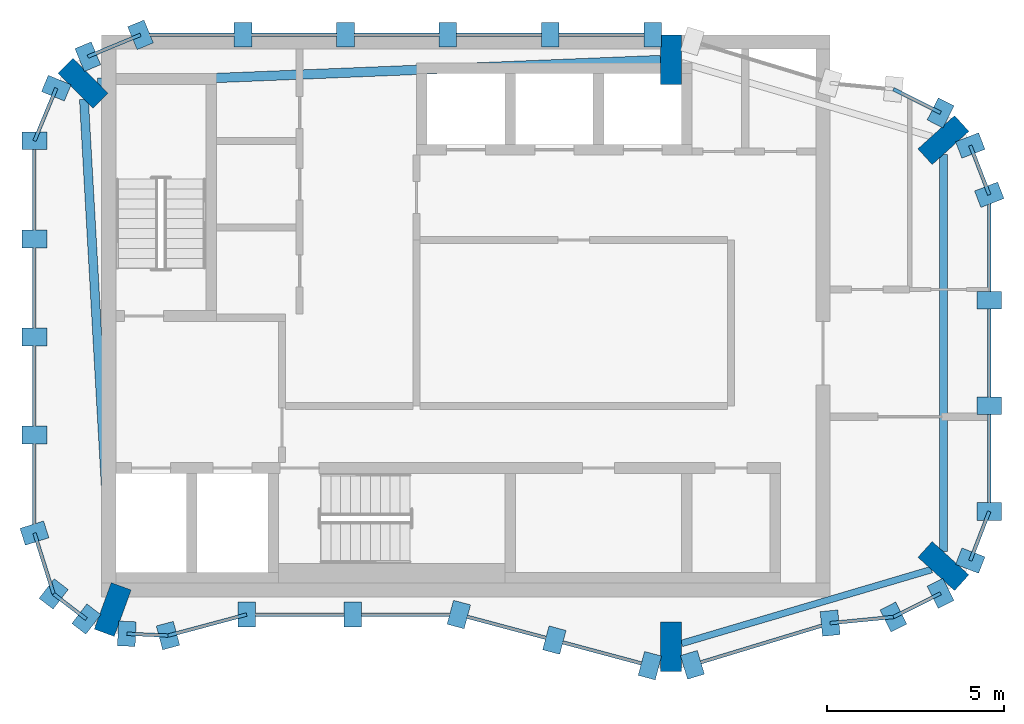
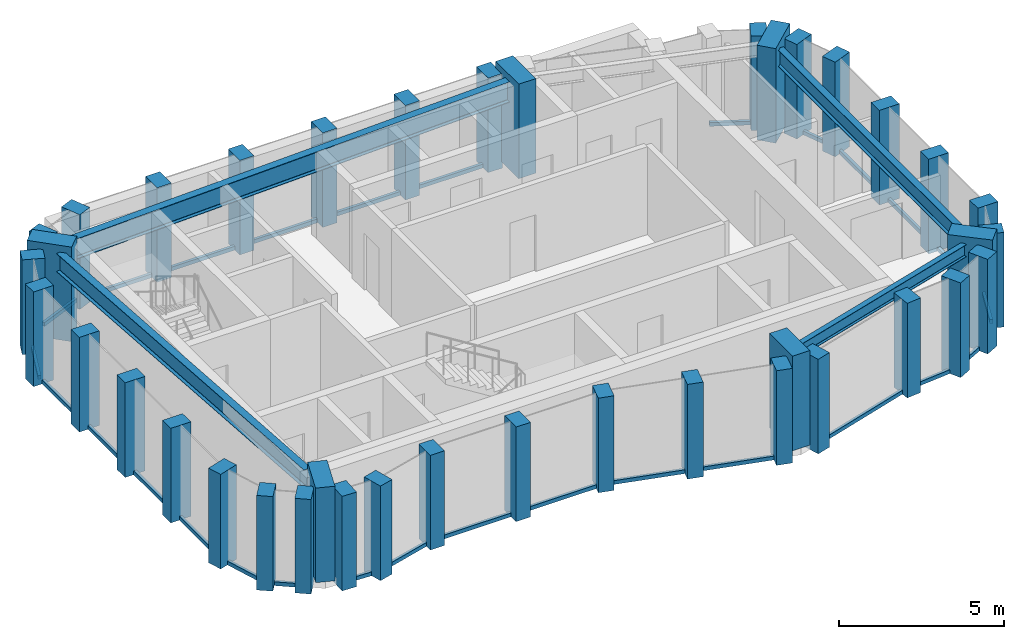
# One storey, part 1 of 5: 50 members, 6 columns, 4 beams, 17 elements without a shape of their own.
"""IFC4 building model written with IfcOpenShell, lengths in metres."""

import ifcopenshell
import ifcopenshell.guid

model = None  # the IFC model being written
_history = None  # IfcOwnerHistory: only IFC2X3 demands one
_inside = {}  # id of a spatial element -> (the spatial element, [elements in it])
_under = {}  # id of a project, library or spatial element -> (it, [spatial elements below it])
_declared = {}  # id of a project -> (the project, [libraries it declares])
_typed = {}  # id of a type object -> (the type object, [elements of that type])
_made_of = {}  # id of a material, layer set ... -> (it, [elements and type objects made of it])


def new_model(schema):
    """Start an empty IFC model of exactly this schema.

    Asked for "IFC4X3", IfcOpenShell would pick the latest addendum, in which some entities
    have other attributes; the version numbers below select the first issue.
    IFC2X3 requires an IfcOwnerHistory on every rooted entity: one is made here for all.
    """
    global model, _history
    if schema == "IFC4X3":
        model = ifcopenshell.file(schema_version=(4, 3, 0, 0))
    else:
        model = ifcopenshell.file(schema=schema)
    _inside.clear()
    _under.clear()
    _declared.clear()
    _typed.clear()
    _made_of.clear()
    _history = None
    if model.schema == "IFC2X3":
        org = make("IfcOrganization", Name="unknown")
        user = make(
            "IfcPersonAndOrganization",
            ThePerson=make("IfcPerson", FamilyName="unknown"),
            TheOrganization=org,
        )
        app = make(
            "IfcApplication",
            ApplicationDeveloper=org,
            Version="unknown",
            ApplicationFullName="unknown",
            ApplicationIdentifier="unknown",
        )
        _history = make(
            "IfcOwnerHistory",
            OwningUser=user,
            OwningApplication=app,
            ChangeAction="ADDED",
            CreationDate=0,
        )
    return model


def make(cls, **values):
    """One entity of the class cls with the attributes given. An attribute that is None is left unset."""
    return model.create_entity(
        cls, **{name: value for name, value in values.items() if value is not None}
    )


def rooted(cls, **values):
    """An entity with a GlobalId (a new one), such as an element, a storey or a relation."""
    return make(cls, GlobalId=ifcopenshell.guid.new(), OwnerHistory=_history, **values)


def si_unit(unit_type, name, prefix=None):
    """IfcSIUnit, for example si_unit("LENGTHUNIT", "METRE", prefix="MILLI")."""
    return make("IfcSIUnit", UnitType=unit_type, Prefix=prefix, Name=name)


def assignment(units):
    """IfcUnitAssignment: the units of a project."""
    return None if units is None else make("IfcUnitAssignment", Units=units)


def point(xyz):
    """IfcCartesianPoint."""
    return None if xyz is None else make("IfcCartesianPoint", Coordinates=xyz)


def direction(xyz):
    """IfcDirection."""
    return None if xyz is None else make("IfcDirection", DirectionRatios=xyz)


def frame(location, z_axis=None, x_axis=None):
    """IfcAxis2Placement3D, a coordinate frame: its origin and axes. An axis left out is left unset."""
    return make(
        "IfcAxis2Placement3D",
        Location=point(location),
        Axis=direction(z_axis),
        RefDirection=direction(x_axis),
    )


def frame_2d(location, x_axis=None):
    """IfcAxis2Placement2D, a coordinate frame in the plane: its origin and x axis."""
    return make(
        "IfcAxis2Placement2D", Location=point(location), RefDirection=direction(x_axis)
    )


def origin():
    """The frame at (0, 0, 0) with its axes left unset."""
    return frame((0.0, 0.0, 0.0))


def origin_2d():
    """The frame at (0, 0) in the plane with its x axis left unset."""
    return frame_2d((0.0, 0.0))


def place(relative_to, where):
    """IfcLocalPlacement: puts the frame where relative to a parent placement (None: the world)."""
    return make(
        "IfcLocalPlacement", PlacementRelTo=relative_to, RelativePlacement=where
    )


def context(
    kind, dimensions, precision=None, world=None, true_north=None, identifier=None
):
    """IfcGeometricRepresentationContext, for example the 3D "Model" context."""
    return make(
        "IfcGeometricRepresentationContext",
        ContextIdentifier=identifier,
        ContextType=kind,
        CoordinateSpaceDimension=dimensions,
        Precision=precision,
        WorldCoordinateSystem=world,
        TrueNorth=true_north,
    )


def subcontext(parent, identifier, kind, view, scale=None):
    """IfcGeometricRepresentationSubContext, for example "Body" below "Model"."""
    return make(
        "IfcGeometricRepresentationSubContext",
        ContextIdentifier=identifier,
        ContextType=kind,
        ParentContext=parent,
        TargetScale=scale,
        TargetView=view,
    )


def project(units=None, contexts=None):
    """IfcProject with its units and contexts."""
    return rooted(
        "IfcProject",
        Name="project",
        RepresentationContexts=contexts,
        UnitsInContext=assignment(units),
    )


def spatial(cls, under=None, at=None, **own):
    """A site, building, storey or space (cls), placed at a placement, below another one or the project."""
    s = rooted(cls, ObjectPlacement=at, **own)
    if under is not None:
        _under.setdefault(under.id(), (under, []))[1].append(s)
    return s


def profile(cls, at=None, kind="AREA", **sizes):
    """A parametric profile (cls). Its sizes go by their IFC names, for example OverallWidth=200.0."""
    return make(cls, ProfileType=kind, Position=at, **sizes)


def rectangle(**sizes):
    """IfcRectangleProfileDef."""
    return profile("IfcRectangleProfileDef", **sizes)


def i_section(**sizes):
    """IfcIShapeProfileDef."""
    return profile("IfcIShapeProfileDef", **sizes)


def extrude(swept, where, along, depth):
    """IfcExtrudedAreaSolid: the profile swept, set in the frame where, extruded along a direction by depth."""
    return make(
        "IfcExtrudedAreaSolid",
        SweptArea=swept,
        Position=where,
        ExtrudedDirection=direction(along),
        Depth=depth,
    )


def shape(context_of_items, identifier, shape_type, items):
    """IfcShapeRepresentation: the items that make up one representation, for example the "Body"."""
    return make(
        "IfcShapeRepresentation",
        ContextOfItems=context_of_items,
        RepresentationIdentifier=identifier,
        RepresentationType=shape_type,
        Items=items,
    )


def material(Name=None, Category=None):
    """IfcMaterial."""
    return make("IfcMaterial", Name=Name, Category=Category)


def layer(
    of_material, thickness, ventilated=None, Name=None, Category=None, Priority=None
):
    """IfcMaterialLayer: one layer of a wall or slab, of a material (None: an air gap)."""
    return make(
        "IfcMaterialLayer",
        Material=of_material,
        LayerThickness=thickness,
        IsVentilated=ventilated,
        Name=Name,
        Category=Category,
        Priority=Priority,
    )


def layer_set(layers, Name=None):
    """IfcMaterialLayerSet."""
    return make("IfcMaterialLayerSet", MaterialLayers=layers, LayerSetName=Name)


def material_profile(
    of_material, cross_section, Name=None, Category=None, Priority=None
):
    """IfcMaterialProfile: a cross section and its material."""
    return make(
        "IfcMaterialProfile",
        Name=Name,
        Material=of_material,
        Profile=cross_section,
        Priority=Priority,
        Category=Category,
    )


def profile_set(profiles, Name=None, composite=None):
    """IfcMaterialProfileSet."""
    return make(
        "IfcMaterialProfileSet",
        Name=Name,
        MaterialProfiles=profiles,
        CompositeProfile=composite,
    )


def made_of(thing, what):
    """Note that an element or type object is made of a material, layer set ...; save() writes the relation."""
    if what is not None:
        _made_of.setdefault(what.id(), (what, []))[1].append(thing)
    return thing


def type_object(cls, material=None, **own):
    """A type object (cls), such as IfcWallType, which elements share."""
    return made_of(rooted(cls, **own), material)


def element(
    cls,
    number,
    at=None,
    inside=None,
    cuts=None,
    type_object=None,
    material=None,
    context=None,
    identifier="Body",
    shape_type=None,
    held_by="IfcProductDefinitionShape",
    body=None,
    shapes=None,
    **own,
):
    """One element of the class cls, such as IfcWall. Its Tag is "e" and its number.

    at: its placement. inside: the storey or other place that contains it. cuts: it is an
    opening in that element (IfcRelVoidsElement). A single representation is given by context,
    identifier, shape_type and body (its items); several are given by shapes. held_by: the class
    of the entity that holds the representations. save() writes the other relations.
    """
    e = rooted(cls, Tag="e%d" % number, ObjectPlacement=at, **own)
    if body is not None:
        shapes = [shape(context, identifier, shape_type, body)]
    if shapes is not None:
        e.Representation = make(held_by, Representations=shapes)
    if inside is not None:
        _inside.setdefault(inside.id(), (inside, []))[1].append(e)
    if cuts is not None:
        rooted(
            "IfcRelVoidsElement", RelatingBuildingElement=cuts, RelatedOpeningElement=e
        )
    if type_object is not None:
        _typed.setdefault(type_object.id(), (type_object, []))[1].append(e)
    return made_of(e, material)


def aggregate(whole, parts):
    """IfcRelAggregates: a whole, such as a stair, and the parts it consists of."""
    return rooted("IfcRelAggregates", RelatingObject=whole, RelatedObjects=parts)


def save(model, path):
    """Write the relations noted so far, then the file.

    IfcRelAggregates (storeys below a building ...), IfcRelContainedInSpatialStructure (elements
    in a storey), IfcRelDefinesByType, IfcRelAssociatesMaterial and IfcRelDeclares: one each for
    every whole, place, type object, material and project.
    """
    for whole, parts in _under.values():
        aggregate(whole, parts)
    for where, things in _inside.values():
        rooted(
            "IfcRelContainedInSpatialStructure",
            RelatedElements=things,
            RelatingStructure=where,
        )
    for kind, things in _typed.values():
        rooted("IfcRelDefinesByType", RelatedObjects=things, RelatingType=kind)
    for what, things in _made_of.values():
        rooted("IfcRelAssociatesMaterial", RelatedObjects=things, RelatingMaterial=what)
    for by, libraries in _declared.values():
        rooted("IfcRelDeclares", RelatingContext=by, RelatedDefinitions=libraries)
    model.write(path)


model = new_model("IFC4")

# Units and contexts
model_context = context("Model", 3, precision=1e-05, world=origin(), true_north=direction((0.0, 1.0)))
body_context = subcontext(model_context, "Body", "Model", "MODEL_VIEW")
ifc_project = project(units=[si_unit("LENGTHUNIT", "METRE"), si_unit("AREAUNIT", "SQUARE_METRE"), si_unit("VOLUMEUNIT", "CUBIC_METRE"), si_unit("PLANEANGLEUNIT", "RADIAN"), si_unit("MASSUNIT", "GRAM", prefix="KILO")], contexts=[model_context])

# Site, building, storey
site_placement = place(None, origin())
site = spatial("IfcSite", under=ifc_project, at=site_placement, CompositionType="ELEMENT")
building_placement = place(site_placement, origin())
building = spatial("IfcBuilding", under=site, at=building_placement, Name="Plateau Cross Towers", CompositionType="ELEMENT")
storey_placement = place(building_placement, frame((0.0, 0.0, 305.39990234375)))
storey = spatial("IfcBuildingStorey", under=building, at=storey_placement, Name="L81 Crown 3", CompositionType="ELEMENT", Elevation=305.39990234375)

# Columns
ifc_material_1 = material(Name="Concrete C60/75", Category="concrete")
ifc_material_profile_1 = material_profile(ifc_material_1, rectangle(XDim=0.60009765625, YDim=1.39990234375, at=origin_2d()), Name="RC 600x1400")
ifc_profile_set_1 = profile_set([ifc_material_profile_1], Name="Concrete C60/75")
column_type = type_object("IfcColumnType", Name="Fin pier column RC 600x1400", PredefinedType="COLUMN", material=ifc_profile_set_1)
for number, where, z_axis, x_axis, name in (
    (1, (18.0, 0.699951171875, 0.0), (0.0, 0.0, 1.0), (1.0, 0.0, 0.0), "PR1 L81 Crown 3"),
    (2, (25.703125, 2.97705078125, 0.0), (0.0, 0.0, 1.0), (0.672084253376, 0.740474683135, 0.0), "PR19 L81 Crown 3"),
    (3, (25.703125, 15.02294921875, 0.0), (0.0, 0.0, 1.0), (-0.672084253376, 0.740474683135, 0.0), "PR20 L81 Crown 3"),
    (4, (18.0, 17.300048828125, 0.0), (0.0, 0.0, 1.0), (1.0, 0.0, 0.0), "PR13 L81 Crown 3"),
    (5, (1.37353515625, 16.62646484375, 0.0), (0.0, 0.0, 1.0), (0.707106781187, 0.707106781187, 0.0), "PR14 L81 Crown 3"),
    (6, (2.213134765625, 1.748046875, 0.0), (0.0, 0.0, 1.0), (-0.939664280925, 0.342097996418, 0.0), "PR12 L81 Crown 3"),
):
    element("IfcColumn", number, at=place(storey_placement, frame(where, z_axis=z_axis, x_axis=x_axis)), inside=storey, type_object=column_type, Name=name, PredefinedType="COLUMN", context=body_context, shape_type="SweptSolid", body=[
        extrude(rectangle(XDim=0.60009765625, YDim=1.39990234375, at=origin_2d()), origin(), (0.0, 0.0, 1.0), 3.5),
    ])

# Beams
ifc_material_2 = material(Name="Steel S355", Category="steel")
ifc_material_profile_2 = material_profile(ifc_material_2, i_section(OverallWidth=0.18994140625, OverallDepth=0.453369140625, WebThickness=0.008544921875, FlangeThickness=0.0126953125, FilletRadius=0.01025390625, at=origin_2d()), Name="UB 457x191x67")
ifc_profile_set_2 = profile_set([ifc_material_profile_2], Name="Steel S355")
beam_type_1 = type_object("IfcBeamType", Name="Crown ring beam UB 457x191x67", PredefinedType="BEAM", material=ifc_profile_set_2)
beam_1_placement = place(storey_placement, frame((18.300048828125, 0.78857421875, 3.0234375), z_axis=(0.958969404993, 0.283509577064, 0.0), x_axis=(-0.283509577064, 0.958969404993, 0.0)))
element("IfcBeam", 7, at=beam_1_placement, inside=storey, type_object=beam_type_1, Name="CRB-L81 Crown 3-01", PredefinedType="BEAM", context=body_context, shape_type="SweptSolid", body=[
    extrude(i_section(OverallWidth=0.18994140625, OverallDepth=0.453369140625, WebThickness=0.008544921875, FlangeThickness=0.0126953125, FilletRadius=0.01025390625, at=origin_2d()), origin(), (0.0, 0.0, 1.0), 7.36865234375),
])
ifc_material_profile_3 = material_profile(ifc_material_2, i_section(OverallWidth=0.228271484375, OverallDepth=0.607666015625, WebThickness=0.010986328125, FlangeThickness=0.017333984375, FilletRadius=0.0126953125, at=origin_2d()), Name="UB 610x229x113")
ifc_profile_set_3 = profile_set([ifc_material_profile_3], Name="Steel S355")
beam_type_2 = type_object("IfcBeamType", Name="Crown ring beam UB 610x229x113", PredefinedType="BEAM", material=ifc_profile_set_3)
beam_2_placement = place(storey_placement, frame((25.703125, 3.38232421875, 2.9462890625), z_axis=(0.0, 1.0, 0.0), x_axis=(-1.0, 0.0, 0.0)))
element("IfcBeam", 8, at=beam_2_placement, inside=storey, type_object=beam_type_2, Name="CRB-L81 Crown 3-02", PredefinedType="BEAM", context=body_context, shape_type="SweptSolid", body=[
    extrude(i_section(OverallWidth=0.228271484375, OverallDepth=0.607666015625, WebThickness=0.010986328125, FlangeThickness=0.017333984375, FilletRadius=0.0126953125, at=origin_2d()), origin(), (0.0, 0.0, 1.0), 11.2353515625),
])
ifc_material_profile_4 = material_profile(ifc_material_2, i_section(OverallWidth=0.2529296875, OverallDepth=0.677978515625, WebThickness=0.01171875, FlangeThickness=0.01611328125, FilletRadius=0.01513671875, at=origin_2d()), Name="UB 686x254x125")
ifc_profile_set_4 = profile_set([ifc_material_profile_4], Name="Steel S355")
beam_type_3 = type_object("IfcBeamType", Name="Crown ring beam UB 686x254x125", PredefinedType="BEAM", material=ifc_profile_set_4)
beam_3_placement = place(storey_placement, frame((1.39892578125, 16.1767578125, 2.9111328125), z_axis=(0.056348976318, -0.998411134187, 0.0), x_axis=(0.998411134187, 0.056348976318, 0.0)))
element("IfcBeam", 9, at=beam_3_placement, inside=storey, type_object=beam_type_3, Name="CRB-L81 Crown 3-05", PredefinedType="BEAM", context=body_context, shape_type="SweptSolid", body=[
    extrude(i_section(OverallWidth=0.2529296875, OverallDepth=0.677978515625, WebThickness=0.01171875, FlangeThickness=0.01611328125, FilletRadius=0.01513671875, at=origin_2d()), origin(), (0.0, 0.0, 1.0), 13.691162109375),
])
ifc_material_profile_5 = material_profile(ifc_material_2, i_section(OverallWidth=0.26513671875, OverallDepth=0.75390625, WebThickness=0.0126953125, FlangeThickness=0.017578125, FilletRadius=0.0166015625, at=origin_2d()), Name="UB 762x267x147")
ifc_profile_set_5 = profile_set([ifc_material_profile_5], Name="Steel S355")
beam_type_4 = type_object("IfcBeamType", Name="Crown ring beam UB 762x267x147", PredefinedType="BEAM", material=ifc_profile_set_5)
beam_4_placement = place(storey_placement, frame((17.699951171875, 17.287841796875, 2.873046875), z_axis=(-0.999180065047, -0.040487005488, 0.0), x_axis=(0.040487005488, -0.999180065047, 0.0)))
element("IfcBeam", 10, at=beam_4_placement, inside=storey, type_object=beam_type_4, Name="CRB-L81 Crown 3-04", PredefinedType="BEAM", context=body_context, shape_type="SweptSolid", body=[
    extrude(i_section(OverallWidth=0.26513671875, OverallDepth=0.75390625, WebThickness=0.0126953125, FlangeThickness=0.017578125, FilletRadius=0.0166015625, at=origin_2d()), origin(), (0.0, 0.0, 1.0), 15.931640625),
])

# Curtain wall, member
ifc_material_3 = material(Name="Dark low-iron glass", Category="glass")
ifc_layer = layer(ifc_material_3, 0.800048828125)
ifc_layer_set = layer_set([ifc_layer], Name="Dark low-iron glass")
curtain_wall_type = type_object("IfcCurtainWallType", Name="Curtain wall sky lounge CW-D", PredefinedType="NOTDEFINED", material=ifc_layer_set)
curtain_wall_1_placement = place(storey_placement, origin())
curtain_wall_1 = element("IfcCurtainWall", 11, at=curtain_wall_1_placement, inside=storey, type_object=curtain_wall_type, Name="ENV/A/L81 Crown 3/A38_10", PredefinedType="NOTDEFINED")
ifc_material_4 = material(Name="Black anodised aluminium", Category="aluminium")
ifc_material_profile_6 = material_profile(ifc_material_4, rectangle(XDim=0.5, YDim=0.699951171875, at=origin_2d()), Name="MULLION 500x700")
ifc_profile_set_6 = profile_set([ifc_material_profile_6], Name="Black anodised aluminium")
member_type_1 = type_object("IfcMemberType", Name="Mullion 500x700 sky lounge", PredefinedType="MULLION", material=ifc_profile_set_6)
member_1_placement = place(storey_placement, frame((3.776123046875, 1.01123046875, -0.25), z_axis=(0.0, 0.0, 1.0), x_axis=(0.965957962328, 0.258699081978, 0.0)))
member_1 = element("IfcMember", 12, at=member_1_placement, type_object=member_type_1, Name="CW-D mullion 1", PredefinedType="MULLION", context=body_context, shape_type="SweptSolid", body=[
    extrude(rectangle(XDim=0.5, YDim=0.699951171875, at=origin_2d()), origin(), (0.0, 0.0, 1.0), 3.5),
])

# Curtain wall, members
curtain_wall_2_placement = place(storey_placement, origin())
curtain_wall_2 = element("IfcCurtainWall", 13, at=curtain_wall_2_placement, inside=storey, type_object=curtain_wall_type, Name="ENV/A/L81 Crown 3/A60_16", PredefinedType="NOTDEFINED")
member_2_placement = place(storey_placement, frame((6.0, 1.60693359375, -0.25), z_axis=(0.0, 0.0, 1.0), x_axis=(1.0, 0.0, 0.0)))
member_2 = element("IfcMember", 14, at=member_2_placement, type_object=member_type_1, Name="CW-D mullion 1", PredefinedType="MULLION", context=body_context, shape_type="SweptSolid", body=[
    extrude(rectangle(XDim=0.5, YDim=0.699951171875, at=origin_2d()), origin(), (0.0, 0.0, 1.0), 3.5),
])
member_3_placement = place(storey_placement, frame((9.0, 1.60693359375, -0.25), z_axis=(0.0, 0.0, 1.0), x_axis=(1.0, 0.0, 0.0)))
member_3 = element("IfcMember", 15, at=member_3_placement, type_object=member_type_1, Name="CW-D mullion 2", PredefinedType="MULLION", context=body_context, shape_type="SweptSolid", body=[
    extrude(rectangle(XDim=0.5, YDim=0.699951171875, at=origin_2d()), origin(), (0.0, 0.0, 1.0), 3.5),
])

curtain_wall_3_placement = place(storey_placement, origin())
curtain_wall_3 = element("IfcCurtainWall", 16, at=curtain_wall_3_placement, inside=storey, type_object=curtain_wall_type, Name="ENV/A/L81 Crown 3/A120_16", PredefinedType="NOTDEFINED")
member_4_placement = place(storey_placement, frame((12.0, 1.60693359375, -0.25), z_axis=(0.0, 0.0, 1.0), x_axis=(0.965957983404, -0.258699003279, 0.0)))
member_4 = element("IfcMember", 17, at=member_4_placement, type_object=member_type_1, Name="CW-D mullion 1", PredefinedType="MULLION", context=body_context, shape_type="SweptSolid", body=[
    extrude(rectangle(XDim=0.5, YDim=0.699951171875, at=origin_2d()), origin(), (0.0, 0.0, 1.0), 3.5),
])
member_5_placement = place(storey_placement, frame((14.70166015625, 0.88330078125, -0.25), z_axis=(0.0, 0.0, 1.0), x_axis=(0.965957983404, -0.258699003279, 0.0)))
member_5 = element("IfcMember", 18, at=member_5_placement, type_object=member_type_1, Name="CW-D mullion 2", PredefinedType="MULLION", context=body_context, shape_type="SweptSolid", body=[
    extrude(rectangle(XDim=0.5, YDim=0.699951171875, at=origin_2d()), origin(), (0.0, 0.0, 1.0), 3.5),
])
member_6_placement = place(storey_placement, frame((17.403076171875, 0.159912109375, -0.25), z_axis=(0.0, 0.0, 1.0), x_axis=(0.965957983404, -0.258699003279, 0.0)))
member_6 = element("IfcMember", 19, at=member_6_placement, type_object=member_type_1, Name="CW-D mullion 3", PredefinedType="MULLION", context=body_context, shape_type="SweptSolid", body=[
    extrude(rectangle(XDim=0.5, YDim=0.699951171875, at=origin_2d()), origin(), (0.0, 0.0, 1.0), 3.5),
])

# Curtain wall, member
curtain_wall_4_placement = place(storey_placement, origin())
curtain_wall_4 = element("IfcCurtainWall", 20, at=curtain_wall_4_placement, inside=storey, type_object=curtain_wall_type, Name="ENV/A/L81 Crown 3/A186_2", PredefinedType="NOTDEFINED")
member_7_placement = place(storey_placement, frame((18.60546875, 0.183349609375, -0.25), z_axis=(0.0, 0.0, 1.0), x_axis=(0.957048328724, 0.289928433386, 0.0)))
member_7 = element("IfcMember", 21, at=member_7_placement, type_object=member_type_1, Name="CW-D mullion 1", PredefinedType="MULLION", context=body_context, shape_type="SweptSolid", body=[
    extrude(rectangle(XDim=0.5, YDim=0.699951171875, at=origin_2d()), origin(), (0.0, 0.0, 1.0), 3.5),
])

curtain_wall_5_placement = place(storey_placement, origin())
curtain_wall_5 = element("IfcCurtainWall", 22, at=curtain_wall_5_placement, inside=storey, type_object=curtain_wall_type, Name="ENV/A/L81 Crown 3/A225_14", PredefinedType="NOTDEFINED")
member_8_placement = place(storey_placement, frame((22.5, 1.36328125, -0.25), z_axis=(0.0, 0.0, 1.0), x_axis=(0.995322680406, 0.096606220658, 0.0)))
member_8 = element("IfcMember", 23, at=member_8_placement, type_object=member_type_1, Name="CW-D mullion 1", PredefinedType="MULLION", context=body_context, shape_type="SweptSolid", body=[
    extrude(rectangle(XDim=0.5, YDim=0.699951171875, at=origin_2d()), origin(), (0.0, 0.0, 1.0), 3.5),
])

# Curtain wall, members
curtain_wall_6_placement = place(storey_placement, origin())
curtain_wall_6 = element("IfcCurtainWall", 24, at=curtain_wall_6_placement, inside=storey, type_object=curtain_wall_type, Name="ENV/A/L81 Crown 3/A243_15", PredefinedType="NOTDEFINED")
member_9_placement = place(storey_placement, frame((24.289794921875, 1.536865234375, -0.25), z_axis=(0.0, 0.0, 1.0), x_axis=(0.893702121293, 0.448660805505, 0.0)))
member_9 = element("IfcMember", 25, at=member_9_placement, type_object=member_type_1, Name="CW-D mullion 1", PredefinedType="MULLION", context=body_context, shape_type="SweptSolid", body=[
    extrude(rectangle(XDim=0.5, YDim=0.699951171875, at=origin_2d()), origin(), (0.0, 0.0, 1.0), 3.5),
])
member_10_placement = place(storey_placement, frame((25.623779296875, 2.20654296875, -0.25), z_axis=(0.0, 0.0, 1.0), x_axis=(0.893702121293, 0.448660805505, 0.0)))
member_10 = element("IfcMember", 26, at=member_10_placement, type_object=member_type_1, Name="CW-D mullion 2", PredefinedType="MULLION", context=body_context, shape_type="SweptSolid", body=[
    extrude(rectangle(XDim=0.5, YDim=0.699951171875, at=origin_2d()), origin(), (0.0, 0.0, 1.0), 3.5),
])

# Curtain wall, member
curtain_wall_7_placement = place(storey_placement, origin())
curtain_wall_7 = element("IfcCurtainWall", 27, at=curtain_wall_7_placement, inside=storey, type_object=curtain_wall_type, Name="ENV/A/L81 Crown 3/A265_31", PredefinedType="NOTDEFINED")
member_11_placement = place(storey_placement, frame((26.46240234375, 3.130615234375, -0.25), z_axis=(0.0, 0.0, 1.0), x_axis=(0.360225826244, 0.932865131789, 0.0)))
member_11 = element("IfcMember", 28, at=member_11_placement, type_object=member_type_1, Name="CW-D mullion 1", PredefinedType="MULLION", context=body_context, shape_type="SweptSolid", body=[
    extrude(rectangle(XDim=0.5, YDim=0.699951171875, at=origin_2d()), origin(), (0.0, 0.0, 1.0), 3.5),
])

# Curtain wall, members
curtain_wall_8_placement = place(storey_placement, origin())
curtain_wall_8 = element("IfcCurtainWall", 29, at=curtain_wall_8_placement, inside=storey, type_object=curtain_wall_type, Name="ENV/A/L81 Crown 3/A270_45", PredefinedType="NOTDEFINED")
member_12_placement = place(storey_placement, frame((27.0, 4.52294921875, -0.25), z_axis=(0.0, 0.0, 1.0), x_axis=(0.0, 1.0, 0.0)))
member_12 = element("IfcMember", 30, at=member_12_placement, type_object=member_type_1, Name="CW-D mullion 1", PredefinedType="MULLION", context=body_context, shape_type="SweptSolid", body=[
    extrude(rectangle(XDim=0.5, YDim=0.699951171875, at=origin_2d()), origin(), (0.0, 0.0, 1.0), 3.5),
])
member_13_placement = place(storey_placement, frame((27.0, 7.507568359375, -0.25), z_axis=(0.0, 0.0, 1.0), x_axis=(0.0, 1.0, 0.0)))
member_13 = element("IfcMember", 31, at=member_13_placement, type_object=member_type_1, Name="CW-D mullion 2", PredefinedType="MULLION", context=body_context, shape_type="SweptSolid", body=[
    extrude(rectangle(XDim=0.5, YDim=0.699951171875, at=origin_2d()), origin(), (0.0, 0.0, 1.0), 3.5),
])
member_14_placement = place(storey_placement, frame((27.0, 10.492431640625, -0.25), z_axis=(0.0, 0.0, 1.0), x_axis=(0.0, 1.0, 0.0)))
member_14 = element("IfcMember", 32, at=member_14_placement, type_object=member_type_1, Name="CW-D mullion 3", PredefinedType="MULLION", context=body_context, shape_type="SweptSolid", body=[
    extrude(rectangle(XDim=0.5, YDim=0.699951171875, at=origin_2d()), origin(), (0.0, 0.0, 1.0), 3.5),
])

curtain_wall_9_placement = place(storey_placement, origin())
curtain_wall_9 = element("IfcCurtainWall", 33, at=curtain_wall_9_placement, inside=storey, type_object=curtain_wall_type, Name="ENV/A/L81 Crown 3/A270_135", PredefinedType="NOTDEFINED")
member_15_placement = place(storey_placement, frame((27.0, 13.47705078125, -0.25), z_axis=(0.0, 0.0, 1.0), x_axis=(-0.360225826244, 0.932865131789, 0.0)))
member_15 = element("IfcMember", 34, at=member_15_placement, type_object=member_type_1, Name="CW-D mullion 1", PredefinedType="MULLION", context=body_context, shape_type="SweptSolid", body=[
    extrude(rectangle(XDim=0.5, YDim=0.699951171875, at=origin_2d()), origin(), (0.0, 0.0, 1.0), 3.5),
])
member_16_placement = place(storey_placement, frame((26.46240234375, 14.869384765625, -0.25), z_axis=(0.0, 0.0, 1.0), x_axis=(-0.360225826244, 0.932865131789, 0.0)))
member_16 = element("IfcMember", 35, at=member_16_placement, type_object=member_type_1, Name="CW-D mullion 2", PredefinedType="MULLION", context=body_context, shape_type="SweptSolid", body=[
    extrude(rectangle(XDim=0.5, YDim=0.699951171875, at=origin_2d()), origin(), (0.0, 0.0, 1.0), 3.5),
])

# Curtain wall, member
curtain_wall_10_placement = place(storey_placement, origin())
curtain_wall_10 = element("IfcCurtainWall", 36, at=curtain_wall_10_placement, inside=storey, type_object=curtain_wall_type, Name="ENV/A/L81 Crown 3/A256_158", PredefinedType="NOTDEFINED")
member_17_placement = place(storey_placement, frame((25.623779296875, 15.79345703125, -0.25), z_axis=(0.0, 0.0, 1.0), x_axis=(-0.893702121293, 0.448660805505, 0.0)))
member_17 = element("IfcMember", 37, at=member_17_placement, type_object=member_type_1, Name="CW-D mullion 1", PredefinedType="MULLION", context=body_context, shape_type="SweptSolid", body=[
    extrude(rectangle(XDim=0.5, YDim=0.699951171875, at=origin_2d()), origin(), (0.0, 0.0, 1.0), 3.5),
])

# Curtain wall, members
curtain_wall_11_placement = place(storey_placement, origin())
curtain_wall_11 = element("IfcCurtainWall", 38, at=curtain_wall_11_placement, inside=storey, type_object=curtain_wall_type, Name="ENV/A/L81 Crown 3/A175_180", PredefinedType="NOTDEFINED")
member_18_placement = place(storey_placement, frame((17.485107421875, 18.0, -0.25), z_axis=(0.0, 0.0, 1.0), x_axis=(-1.0, 0.0, 0.0)))
member_18 = element("IfcMember", 39, at=member_18_placement, type_object=member_type_1, Name="CW-D mullion 1", PredefinedType="MULLION", context=body_context, shape_type="SweptSolid", body=[
    extrude(rectangle(XDim=0.5, YDim=0.699951171875, at=origin_2d()), origin(), (0.0, 0.0, 1.0), 3.5),
])
member_19_placement = place(storey_placement, frame((14.587890625, 18.0, -0.25), z_axis=(0.0, 0.0, 1.0), x_axis=(-1.0, 0.0, 0.0)))
member_19 = element("IfcMember", 40, at=member_19_placement, type_object=member_type_1, Name="CW-D mullion 2", PredefinedType="MULLION", context=body_context, shape_type="SweptSolid", body=[
    extrude(rectangle(XDim=0.5, YDim=0.699951171875, at=origin_2d()), origin(), (0.0, 0.0, 1.0), 3.5),
])
member_20_placement = place(storey_placement, frame((11.69091796875, 18.0, -0.25), z_axis=(0.0, 0.0, 1.0), x_axis=(-1.0, 0.0, 0.0)))
member_20 = element("IfcMember", 41, at=member_20_placement, type_object=member_type_1, Name="CW-D mullion 3", PredefinedType="MULLION", context=body_context, shape_type="SweptSolid", body=[
    extrude(rectangle(XDim=0.5, YDim=0.699951171875, at=origin_2d()), origin(), (0.0, 0.0, 1.0), 3.5),
])
member_21_placement = place(storey_placement, frame((8.7939453125, 18.0, -0.25), z_axis=(0.0, 0.0, 1.0), x_axis=(-1.0, 0.0, 0.0)))
member_21 = element("IfcMember", 42, at=member_21_placement, type_object=member_type_1, Name="CW-D mullion 4", PredefinedType="MULLION", context=body_context, shape_type="SweptSolid", body=[
    extrude(rectangle(XDim=0.5, YDim=0.699951171875, at=origin_2d()), origin(), (0.0, 0.0, 1.0), 3.5),
])
member_22_placement = place(storey_placement, frame((5.89697265625, 18.0, -0.25), z_axis=(0.0, 0.0, 1.0), x_axis=(-1.0, 0.0, 0.0)))
member_22 = element("IfcMember", 43, at=member_22_placement, type_object=member_type_1, Name="CW-D mullion 5", PredefinedType="MULLION", context=body_context, shape_type="SweptSolid", body=[
    extrude(rectangle(XDim=0.5, YDim=0.699951171875, at=origin_2d()), origin(), (0.0, 0.0, 1.0), 3.5),
])

curtain_wall_12_placement = place(storey_placement, origin())
curtain_wall_12 = element("IfcCurtainWall", 44, at=curtain_wall_12_placement, inside=storey, type_object=curtain_wall_type, Name="ENV/A/L81 Crown 3/A30_180", PredefinedType="NOTDEFINED")
member_23_placement = place(storey_placement, frame((3.0, 18.0, -0.25), z_axis=(0.0, 0.0, 1.0), x_axis=(-0.923879457699, -0.382683612978, 0.0)))
member_23 = element("IfcMember", 45, at=member_23_placement, type_object=member_type_1, Name="CW-D mullion 1", PredefinedType="MULLION", context=body_context, shape_type="SweptSolid", body=[
    extrude(rectangle(XDim=0.5, YDim=0.699951171875, at=origin_2d()), origin(), (0.0, 0.0, 1.0), 3.5),
])
member_24_placement = place(storey_placement, frame((1.50830078125, 17.382080078125, -0.25), z_axis=(0.0, 0.0, 1.0), x_axis=(-0.923879457699, -0.382683612978, 0.0)))
member_24 = element("IfcMember", 46, at=member_24_placement, type_object=member_type_1, Name="CW-D mullion 2", PredefinedType="MULLION", context=body_context, shape_type="SweptSolid", body=[
    extrude(rectangle(XDim=0.5, YDim=0.699951171875, at=origin_2d()), origin(), (0.0, 0.0, 1.0), 3.5),
])

# Curtain wall, member
curtain_wall_13_placement = place(storey_placement, origin())
curtain_wall_13 = element("IfcCurtainWall", 47, at=curtain_wall_13_placement, inside=storey, type_object=curtain_wall_type, Name="ENV/A/L81 Crown 3/A6_165", PredefinedType="NOTDEFINED")
member_25_placement = place(storey_placement, frame((0.617919921875, 16.49169921875, -0.25), z_axis=(0.0, 0.0, 1.0), x_axis=(-0.382683612978, -0.923879457699, 0.0)))
member_25 = element("IfcMember", 48, at=member_25_placement, type_object=member_type_1, Name="CW-D mullion 1", PredefinedType="MULLION", context=body_context, shape_type="SweptSolid", body=[
    extrude(rectangle(XDim=0.5, YDim=0.699951171875, at=origin_2d()), origin(), (0.0, 0.0, 1.0), 3.5),
])

# Curtain wall, members
curtain_wall_14_placement = place(storey_placement, origin())
curtain_wall_14 = element("IfcCurtainWall", 49, at=curtain_wall_14_placement, inside=storey, type_object=curtain_wall_type, Name="ENV/A/L81 Crown 3/A0_150", PredefinedType="NOTDEFINED")
member_26_placement = place(storey_placement, frame((0.0, 15.0, -0.25), z_axis=(0.0, 0.0, 1.0), x_axis=(0.0, -1.0, 0.0)))
member_26 = element("IfcMember", 50, at=member_26_placement, type_object=member_type_1, Name="CW-D mullion 1", PredefinedType="MULLION", context=body_context, shape_type="SweptSolid", body=[
    extrude(rectangle(XDim=0.5, YDim=0.699951171875, at=origin_2d()), origin(), (0.0, 0.0, 1.0), 3.5),
])
member_27_placement = place(storey_placement, frame((0.0, 12.227294921875, -0.25), z_axis=(0.0, 0.0, 1.0), x_axis=(0.0, -1.0, 0.0)))
member_27 = element("IfcMember", 51, at=member_27_placement, type_object=member_type_1, Name="CW-D mullion 2", PredefinedType="MULLION", context=body_context, shape_type="SweptSolid", body=[
    extrude(rectangle(XDim=0.5, YDim=0.699951171875, at=origin_2d()), origin(), (0.0, 0.0, 1.0), 3.5),
])
member_28_placement = place(storey_placement, frame((0.0, 9.45458984375, -0.25), z_axis=(0.0, 0.0, 1.0), x_axis=(0.0, -1.0, 0.0)))
member_28 = element("IfcMember", 52, at=member_28_placement, type_object=member_type_1, Name="CW-D mullion 3", PredefinedType="MULLION", context=body_context, shape_type="SweptSolid", body=[
    extrude(rectangle(XDim=0.5, YDim=0.699951171875, at=origin_2d()), origin(), (0.0, 0.0, 1.0), 3.5),
])
member_29_placement = place(storey_placement, frame((0.0, 6.681884765625, -0.25), z_axis=(0.0, 0.0, 1.0), x_axis=(0.0, -1.0, 0.0)))
member_29 = element("IfcMember", 53, at=member_29_placement, type_object=member_type_1, Name="CW-D mullion 4", PredefinedType="MULLION", context=body_context, shape_type="SweptSolid", body=[
    extrude(rectangle(XDim=0.5, YDim=0.699951171875, at=origin_2d()), origin(), (0.0, 0.0, 1.0), 3.5),
])

# Curtain wall, member
curtain_wall_15_placement = place(storey_placement, origin())
curtain_wall_15 = element("IfcCurtainWall", 54, at=curtain_wall_15_placement, inside=storey, type_object=curtain_wall_type, Name="ENV/A/L81 Crown 3/A0_39", PredefinedType="NOTDEFINED")
member_30_placement = place(storey_placement, frame((0.0, 3.9091796875, -0.25), z_axis=(0.0, 0.0, 1.0), x_axis=(0.300686174994, -0.95372313811, 0.0)))
member_30 = element("IfcMember", 55, at=member_30_placement, type_object=member_type_1, Name="CW-D mullion 1", PredefinedType="MULLION", context=body_context, shape_type="SweptSolid", body=[
    extrude(rectangle(XDim=0.5, YDim=0.699951171875, at=origin_2d()), origin(), (0.0, 0.0, 1.0), 3.5),
])

# Curtain wall, members
curtain_wall_16_placement = place(storey_placement, origin())
curtain_wall_16 = element("IfcCurtainWall", 56, at=curtain_wall_16_placement, inside=storey, type_object=curtain_wall_type, Name="ENV/A/L81 Crown 3/A5_22", PredefinedType="NOTDEFINED")
member_31_placement = place(storey_placement, frame((0.54248046875, 2.1884765625, -0.25), z_axis=(0.0, 0.0, 1.0), x_axis=(0.793315514529, -0.608810721331, 0.0)))
member_31 = element("IfcMember", 57, at=member_31_placement, type_object=member_type_1, Name="CW-D mullion 1", PredefinedType="MULLION", context=body_context, shape_type="SweptSolid", body=[
    extrude(rectangle(XDim=0.5, YDim=0.699951171875, at=origin_2d()), origin(), (0.0, 0.0, 1.0), 3.5),
])
member_32_placement = place(storey_placement, frame((1.467529296875, 1.478515625, -0.25), z_axis=(0.0, 0.0, 1.0), x_axis=(0.793315514529, -0.608810721331, 0.0)))
member_32 = element("IfcMember", 58, at=member_32_placement, type_object=member_type_1, Name="CW-D mullion 2", PredefinedType="MULLION", context=body_context, shape_type="SweptSolid", body=[
    extrude(rectangle(XDim=0.5, YDim=0.699951171875, at=origin_2d()), origin(), (0.0, 0.0, 1.0), 3.5),
])

# Curtain wall, member
curtain_wall_17_placement = place(storey_placement, origin())
curtain_wall_17 = element("IfcCurtainWall", 59, at=curtain_wall_17_placement, inside=storey, type_object=curtain_wall_type, Name="ENV/A/L81 Crown 3/A26_11", PredefinedType="NOTDEFINED")
member_33_placement = place(storey_placement, frame((2.611083984375, 1.062255859375, -0.25), z_axis=(0.0, 0.0, 1.0), x_axis=(0.999043701491, -0.043722791671, 0.0)))
member_33 = element("IfcMember", 60, at=member_33_placement, type_object=member_type_1, Name="CW-D mullion 1", PredefinedType="MULLION", context=body_context, shape_type="SweptSolid", body=[
    extrude(rectangle(XDim=0.5, YDim=0.699951171875, at=origin_2d()), origin(), (0.0, 0.0, 1.0), 3.5),
])

# Member
ifc_material_profile_7 = material_profile(ifc_material_4, rectangle(XDim=0.10009765625, YDim=0.139892578125, at=origin_2d()), Name="TRANSOM 100x140")
ifc_profile_set_7 = profile_set([ifc_material_profile_7], Name="Black anodised aluminium")
member_type_2 = type_object("IfcMemberType", Name="Transom 100x140 sky lounge", PredefinedType="USERDEFINED", material=ifc_profile_set_7)
member_34_placement = place(storey_placement, frame((3.776123046875, 1.01123046875, -0.179931640625), z_axis=(0.965945685136, 0.258744919501, 0.0), x_axis=(-0.258744919501, 0.965945685136, 0.0)))
member_34 = element("IfcMember", 61, at=member_34_placement, type_object=member_type_2, Name="CW-D transom", ObjectType="TRANSOM", PredefinedType="USERDEFINED", context=body_context, shape_type="SweptSolid", body=[
    extrude(rectangle(XDim=0.10009765625, YDim=0.139892578125, at=origin_2d()), origin(), (0.0, 0.0, 1.0), 2.30224609375),
])

aggregate(curtain_wall_1, [member_1, member_34])

member_35_placement = place(storey_placement, frame((6.0, 1.60693359375, -0.179931640625), z_axis=(1.0, 0.0, 0.0), x_axis=(0.0, 1.0, 0.0)))
member_35 = element("IfcMember", 62, at=member_35_placement, type_object=member_type_2, Name="CW-D transom", ObjectType="TRANSOM", PredefinedType="USERDEFINED", context=body_context, shape_type="SweptSolid", body=[
    extrude(rectangle(XDim=0.10009765625, YDim=0.139892578125, at=origin_2d()), origin(), (0.0, 0.0, 1.0), 6.0),
])

aggregate(curtain_wall_2, [member_2, member_3, member_35])

member_36_placement = place(storey_placement, frame((12.0, 1.60693359375, -0.179931640625), z_axis=(0.965958374924, -0.258697541375, 0.0), x_axis=(0.258697541375, 0.965958374924, 0.0)))
member_36 = element("IfcMember", 63, at=member_36_placement, type_object=member_type_2, Name="CW-D transom", ObjectType="TRANSOM", PredefinedType="USERDEFINED", context=body_context, shape_type="SweptSolid", body=[
    extrude(rectangle(XDim=0.10009765625, YDim=0.139892578125, at=origin_2d()), origin(), (0.0, 0.0, 1.0), 5.593505859375),
])

aggregate(curtain_wall_3, [member_4, member_5, member_6, member_36])

member_37_placement = place(storey_placement, frame((18.60546875, 0.183349609375, -0.179931640625), z_axis=(0.957040045132, 0.289955775961, 0.0), x_axis=(-0.289955775961, 0.957040045132, 0.0)))
member_37 = element("IfcMember", 64, at=member_37_placement, type_object=member_type_2, Name="CW-D transom", ObjectType="TRANSOM", PredefinedType="USERDEFINED", context=body_context, shape_type="SweptSolid", body=[
    extrude(rectangle(XDim=0.10009765625, YDim=0.139892578125, at=origin_2d()), origin(), (0.0, 0.0, 1.0), 4.0693359375),
])

aggregate(curtain_wall_4, [member_7, member_37])

member_38_placement = place(storey_placement, frame((22.5, 1.36328125, -0.179931640625), z_axis=(0.995329836219, 0.096532466724, 0.0), x_axis=(-0.096532466724, 0.995329836219, 0.0)))
member_38 = element("IfcMember", 65, at=member_38_placement, type_object=member_type_2, Name="CW-D transom", ObjectType="TRANSOM", PredefinedType="USERDEFINED", context=body_context, shape_type="SweptSolid", body=[
    extrude(rectangle(XDim=0.10009765625, YDim=0.139892578125, at=origin_2d()), origin(), (0.0, 0.0, 1.0), 1.798095703125),
])

aggregate(curtain_wall_5, [member_8, member_38])

member_39_placement = place(storey_placement, frame((24.289794921875, 1.536865234375, -0.179931640625), z_axis=(0.893706357175, 0.448652367813, 0.0), x_axis=(-0.448652367813, 0.893706357175, 0.0)))
member_39 = element("IfcMember", 66, at=member_39_placement, type_object=member_type_2, Name="CW-D transom", ObjectType="TRANSOM", PredefinedType="USERDEFINED", context=body_context, shape_type="SweptSolid", body=[
    extrude(rectangle(XDim=0.10009765625, YDim=0.139892578125, at=origin_2d()), origin(), (0.0, 0.0, 1.0), 1.49267578125),
])

aggregate(curtain_wall_6, [member_9, member_10, member_39])

member_40_placement = place(storey_placement, frame((26.46240234375, 3.130615234375, -0.179931640625), z_axis=(0.360195479998, 0.932876849423, 0.0), x_axis=(-0.932876849423, 0.360195479998, 0.0)))
member_40 = element("IfcMember", 67, at=member_40_placement, type_object=member_type_2, Name="CW-D transom", ObjectType="TRANSOM", PredefinedType="USERDEFINED", context=body_context, shape_type="SweptSolid", body=[
    extrude(rectangle(XDim=0.10009765625, YDim=0.139892578125, at=origin_2d()), origin(), (0.0, 0.0, 1.0), 1.492431640625),
])

aggregate(curtain_wall_7, [member_11, member_40])

member_41_placement = place(storey_placement, frame((27.0, 4.52294921875, -0.179931640625), z_axis=(0.0, 1.0, 0.0), x_axis=(-1.0, 0.0, 0.0)))
member_41 = element("IfcMember", 68, at=member_41_placement, type_object=member_type_2, Name="CW-D transom", ObjectType="TRANSOM", PredefinedType="USERDEFINED", context=body_context, shape_type="SweptSolid", body=[
    extrude(rectangle(XDim=0.10009765625, YDim=0.139892578125, at=origin_2d()), origin(), (0.0, 0.0, 1.0), 8.9541015625),
])

aggregate(curtain_wall_8, [member_12, member_13, member_14, member_41])

member_42_placement = place(storey_placement, frame((27.0, 13.47705078125, -0.179931640625), z_axis=(-0.360195479998, 0.932876849423, 0.0), x_axis=(-0.932876849423, -0.360195479998, 0.0)))
member_42 = element("IfcMember", 69, at=member_42_placement, type_object=member_type_2, Name="CW-D transom", ObjectType="TRANSOM", PredefinedType="USERDEFINED", context=body_context, shape_type="SweptSolid", body=[
    extrude(rectangle(XDim=0.10009765625, YDim=0.139892578125, at=origin_2d()), origin(), (0.0, 0.0, 1.0), 1.492431640625),
])

aggregate(curtain_wall_9, [member_15, member_16, member_42])

member_43_placement = place(storey_placement, frame((25.623779296875, 15.79345703125, -0.179931640625), z_axis=(-0.893706357175, 0.448652367813, 0.0), x_axis=(-0.448652367813, -0.893706357175, 0.0)))
member_43 = element("IfcMember", 70, at=member_43_placement, type_object=member_type_2, Name="CW-D transom", ObjectType="TRANSOM", PredefinedType="USERDEFINED", context=body_context, shape_type="SweptSolid", body=[
    extrude(rectangle(XDim=0.10009765625, YDim=0.139892578125, at=origin_2d()), origin(), (0.0, 0.0, 1.0), 1.49267578125),
])

aggregate(curtain_wall_10, [member_17, member_43])

member_44_placement = place(storey_placement, frame((17.485107421875, 18.0, -0.179931640625), z_axis=(-1.0, 0.0, 0.0), x_axis=(0.0, -1.0, 0.0)))
member_44 = element("IfcMember", 71, at=member_44_placement, type_object=member_type_2, Name="CW-D transom", ObjectType="TRANSOM", PredefinedType="USERDEFINED", context=body_context, shape_type="SweptSolid", body=[
    extrude(rectangle(XDim=0.10009765625, YDim=0.139892578125, at=origin_2d()), origin(), (0.0, 0.0, 1.0), 14.485107421875),
])

aggregate(curtain_wall_11, [member_18, member_19, member_20, member_21, member_22, member_44])

member_45_placement = place(storey_placement, frame((3.0, 18.0, -0.179931640625), z_axis=(-0.923871238907, -0.382703454284, 0.0), x_axis=(0.382703454284, -0.923871238907, 0.0)))
member_45 = element("IfcMember", 72, at=member_45_placement, type_object=member_type_2, Name="CW-D transom", ObjectType="TRANSOM", PredefinedType="USERDEFINED", context=body_context, shape_type="SweptSolid", body=[
    extrude(rectangle(XDim=0.10009765625, YDim=0.139892578125, at=origin_2d()), origin(), (0.0, 0.0, 1.0), 1.614501953125),
])

aggregate(curtain_wall_12, [member_23, member_24, member_45])

member_46_placement = place(storey_placement, frame((0.617919921875, 16.49169921875, -0.179931640625), z_axis=(-0.382703454284, -0.923871238907, 0.0), x_axis=(0.923871238907, -0.382703454284, 0.0)))
member_46 = element("IfcMember", 73, at=member_46_placement, type_object=member_type_2, Name="CW-D transom", ObjectType="TRANSOM", PredefinedType="USERDEFINED", context=body_context, shape_type="SweptSolid", body=[
    extrude(rectangle(XDim=0.10009765625, YDim=0.139892578125, at=origin_2d()), origin(), (0.0, 0.0, 1.0), 1.614501953125),
])

aggregate(curtain_wall_13, [member_25, member_46])

member_47_placement = place(storey_placement, frame((0.0, 15.0, -0.179931640625), z_axis=(0.0, -1.0, 0.0), x_axis=(1.0, 0.0, 0.0)))
member_47 = element("IfcMember", 74, at=member_47_placement, type_object=member_type_2, Name="CW-D transom", ObjectType="TRANSOM", PredefinedType="USERDEFINED", context=body_context, shape_type="SweptSolid", body=[
    extrude(rectangle(XDim=0.10009765625, YDim=0.139892578125, at=origin_2d()), origin(), (0.0, 0.0, 1.0), 11.0908203125),
])

aggregate(curtain_wall_14, [member_26, member_27, member_28, member_29, member_47])

member_48_placement = place(storey_placement, frame((0.0, 3.9091796875, -0.179931640625), z_axis=(0.30067799945, -0.953725715626, 0.0), x_axis=(0.953725715626, 0.30067799945, 0.0)))
member_48 = element("IfcMember", 75, at=member_48_placement, type_object=member_type_2, Name="CW-D transom", ObjectType="TRANSOM", PredefinedType="USERDEFINED", context=body_context, shape_type="SweptSolid", body=[
    extrude(rectangle(XDim=0.10009765625, YDim=0.139892578125, at=origin_2d()), origin(), (0.0, 0.0, 1.0), 1.80419921875),
])

aggregate(curtain_wall_15, [member_30, member_48])

member_49_placement = place(storey_placement, frame((0.54248046875, 2.1884765625, -0.179931640625), z_axis=(0.793292864311, -0.608840234736, 0.0), x_axis=(0.608840234736, 0.793292864311, 0.0)))
member_49 = element("IfcMember", 76, at=member_49_placement, type_object=member_type_2, Name="CW-D transom", ObjectType="TRANSOM", PredefinedType="USERDEFINED", context=body_context, shape_type="SweptSolid", body=[
    extrude(rectangle(XDim=0.10009765625, YDim=0.139892578125, at=origin_2d()), origin(), (0.0, 0.0, 1.0), 1.166015625),
])

aggregate(curtain_wall_16, [member_31, member_32, member_49])

member_50_placement = place(storey_placement, frame((2.611083984375, 1.062255859375, -0.179931640625), z_axis=(0.999042282418, -0.043755204741, 0.0), x_axis=(0.043755204741, 0.999042282418, 0.0)))
member_50 = element("IfcMember", 77, at=member_50_placement, type_object=member_type_2, Name="CW-D transom", ObjectType="TRANSOM", PredefinedType="USERDEFINED", context=body_context, shape_type="SweptSolid", body=[
    extrude(rectangle(XDim=0.10009765625, YDim=0.139892578125, at=origin_2d()), origin(), (0.0, 0.0, 1.0), 1.166259765625),
])

aggregate(curtain_wall_17, [member_33, member_50])

save(model, "model.ifc")
